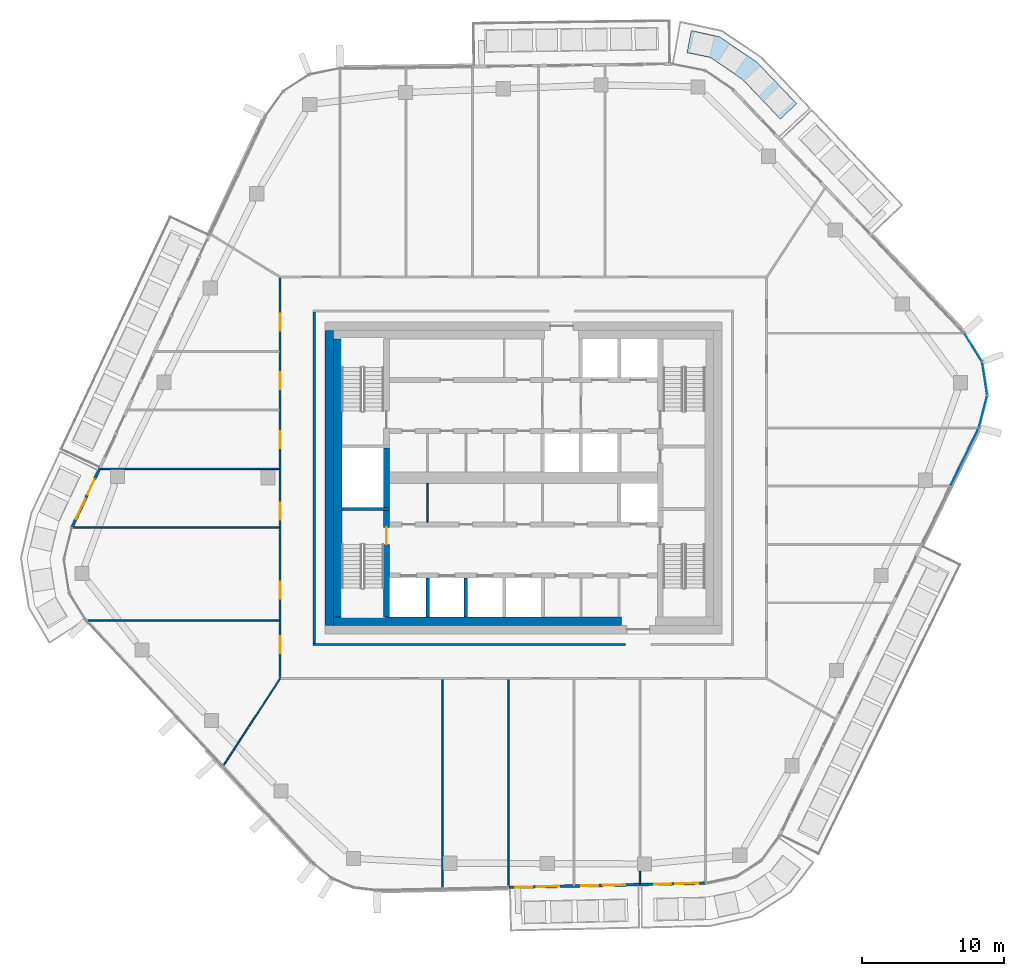
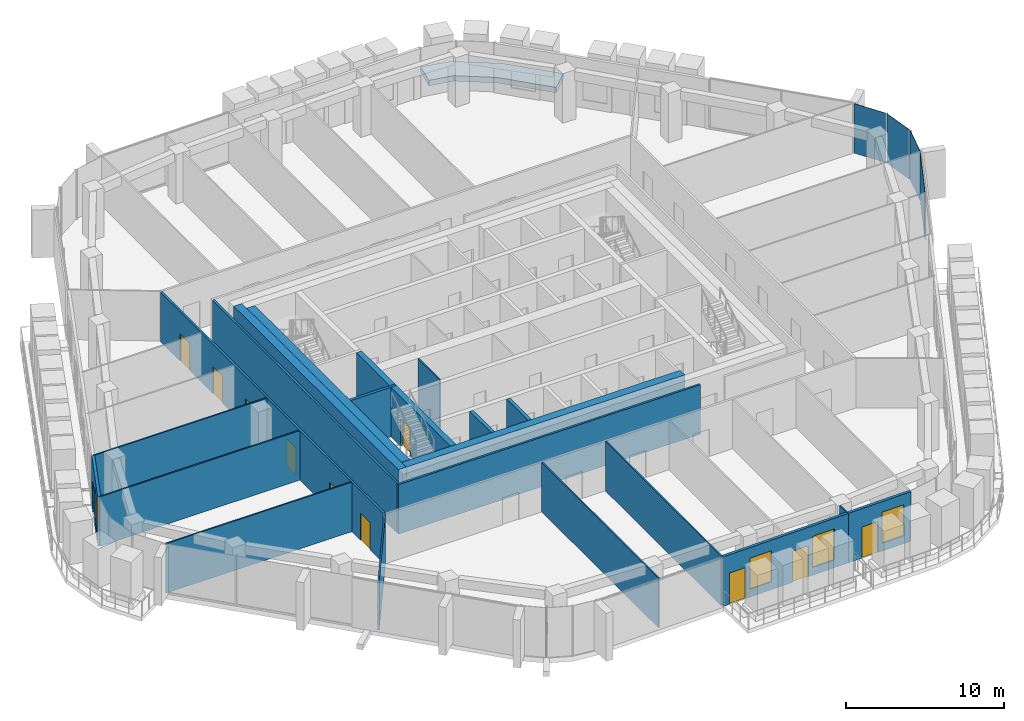
# One storey, part 12 of 23: 22 walls, 11 doors, 4 plates, 4 windows, 1 slab, 15 openings, 2 elements without a shape of their own.
"""IFC4 building model written with IfcOpenShell, lengths in metres."""

from ifc_helpers import new_model, si_unit, direction, frame, frame_2d, origin, origin_2d, place, context, subcontext, project, spatial, polyline, rectangle, outline, extrude, material, layer, layer_set, type_object, element, fill, aggregate, save


model = new_model("IFC4")

# Units and contexts
model_context = context("Model", 3, precision=1e-05, world=origin(), true_north=direction((0.0, 1.0)))
body_context = subcontext(model_context, "Body", "Model", "MODEL_VIEW")
ifc_project = project(units=[si_unit("LENGTHUNIT", "METRE"), si_unit("AREAUNIT", "SQUARE_METRE"), si_unit("VOLUMEUNIT", "CUBIC_METRE"), si_unit("PLANEANGLEUNIT", "RADIAN"), si_unit("MASSUNIT", "GRAM", prefix="KILO")], contexts=[model_context])

# Site, building, storey
site_placement = place(None, origin())
site = spatial("IfcSite", under=ifc_project, at=site_placement, CompositionType="ELEMENT")
building_placement = place(site_placement, origin())
building = spatial("IfcBuilding", under=site, at=building_placement, Name="Dongbaek Canopy Tower", CompositionType="ELEMENT")
storey_placement = place(building_placement, frame((0.0, 0.0, 336.199951171875)))
storey = spatial("IfcBuildingStorey", under=building, at=storey_placement, Name="L72", CompositionType="ELEMENT", Elevation=336.199951171875)

# Curtain wall, plates
ifc_material_1 = material(Name="Aluminium 6063-T6 pale anodised", Category="aluminium")
ifc_layer_1 = layer(ifc_material_1, 0.199951171875)
ifc_layer_set_1 = layer_set([ifc_layer_1], Name="CW-1 unitised tower curtain wall")
curtain_wall_type = type_object("IfcCurtainWallType", Name="CW-1 unitised tower curtain wall", PredefinedType="NOTDEFINED", material=ifc_layer_set_1)
curtain_wall_1_placement = place(storey_placement, origin())
curtain_wall_1 = element("IfcCurtainWall", 1, at=curtain_wall_1_placement, inside=storey, type_object=curtain_wall_type, Name="CW-1 curtain wall K0.1", PredefinedType="NOTDEFINED")
ifc_material_2 = material(Name="Clear laminated glass", Category="glass")
ifc_layer_2 = layer(ifc_material_2, 0.028076171875)
ifc_layer_set_2 = layer_set([ifc_layer_2], Name="CW-1 glazed panel 28")
plate_type = type_object("IfcPlateType", Name="CW-1 glazed panel 28", PredefinedType="CURTAIN_PANEL", material=ifc_layer_set_2)
plate_1_placement = place(storey_placement, frame((32.399169921875, 4.675048828125, 0.0), z_axis=(0.0, 0.0, 1.0), x_axis=(0.249737437294, 0.96831359198, 0.0)))
plate_1 = element("IfcPlate", 2, at=plate_1_placement, type_object=plate_type, Name="CW-1 panel K0.1.1.1", PredefinedType="CURTAIN_PANEL", context=body_context, shape_type="SweptSolid", body=[
    extrude(rectangle(XDim=2.298095703125, YDim=0.028076171875, at=origin_2d()), origin(), (0.0, 0.0, 1.0), 3.820068359375),
])
plate_2_placement = place(storey_placement, frame((32.5166015625, 7.00048828125, 0.0), z_axis=(0.0, 0.0, 1.0), x_axis=(-0.151904019597, 0.988395249296, 0.0)))
plate_2 = element("IfcPlate", 3, at=plate_2_placement, type_object=plate_type, Name="CW-1 panel K0.1.2.1", PredefinedType="CURTAIN_PANEL", context=body_context, shape_type="SweptSolid", body=[
    extrude(rectangle(XDim=2.287841796875, YDim=0.028076171875, at=origin_2d()), origin(), (0.0, 0.0, 1.0), 3.820068359375),
])
plate_3_placement = place(storey_placement, frame((31.706298828125, 9.18359375, 0.0), z_axis=(0.0, 0.0, 1.0), x_axis=(-0.528979690161, 0.848634483978, 0.0)))
plate_3 = element("IfcPlate", 4, at=plate_3_placement, type_object=plate_type, Name="CW-1 panel K0.1.3.1", PredefinedType="CURTAIN_PANEL", context=body_context, shape_type="SweptSolid", body=[
    extrude(rectangle(XDim=2.298095703125, YDim=0.028076171875, at=origin_2d()), origin(), (0.0, 0.0, 1.0), 3.820068359375),
])
aggregate(curtain_wall_1, [plate_1, plate_2, plate_3])

# Curtain wall, plate
curtain_wall_2_placement = place(storey_placement, origin())
curtain_wall_2 = element("IfcCurtainWall", 5, at=curtain_wall_2_placement, inside=storey, type_object=curtain_wall_type, Name="CW-1 curtain wall F5.1", PredefinedType="NOTDEFINED")
plate_4_placement = place(storey_placement, frame((31.09814453125, 1.469482421875, 0.1201171875), z_axis=(0.0, 0.0, 1.0), x_axis=(0.439337288093, 0.89832218457, 0.0)))
plate_4 = element("IfcPlate", 6, at=plate_4_placement, type_object=plate_type, Name="CW-1 panel F5.1.2.1", PredefinedType="CURTAIN_PANEL", context=body_context, shape_type="SweptSolid", body=[
    extrude(rectangle(XDim=4.485107421875, YDim=0.028076171875, at=origin_2d()), origin(), (0.0, 0.0, 1.0), 3.699951171875),
])
aggregate(curtain_wall_2, [plate_4])

# Slab
ifc_material_3 = material(Name="Reinforced concrete C40/50 planter box with soil", Category="concrete")
ifc_layer_3 = layer(ifc_material_3, 0.419921875)
ifc_layer_set_3 = layer_set([ifc_layer_3], Name="Terrace planter box 1600 x 420")
slab_type = type_object("IfcSlabType", Name="Terrace planter box 1600 x 420", PredefinedType="USERDEFINED", material=ifc_layer_set_3)
slab_placement = place(storey_placement, origin())
element("IfcSlab", 7, at=slab_placement, inside=storey, type_object=slab_type, Name="Balcony planter L72 6", ObjectType="PLANTER", PredefinedType="USERDEFINED", context=body_context, shape_type="SweptSolid", body=[
    extrude(outline(polyline([(18.107177734375, 25.281005859375), (15.435302734375, 28.086181640625), (13.182861328125, 29.626220703125), (11.53076171875, 29.968017578125), (11.837646484375, 31.538330078125), (13.804443359375, 31.1005859375), (16.4755859375, 29.3017578125), (19.26708984375, 26.383056640625), (18.107177734375, 25.281005859375)])), origin(), (0.0, 0.0, 1.0), 0.420166015625),
])

# Walls
ifc_material_4 = material(Name="Concrete C80/95", Category="concrete")
ifc_layer_4 = layer(ifc_material_4, 0.60009765625)
ifc_layer_set_4 = layer_set([ifc_layer_4], Name="Core outer wall 600 Concrete C80/95")
wall_type_1 = type_object("IfcWallType", Name="Core outer wall 600 Concrete C80/95", PredefinedType="SHEAR", material=ifc_layer_set_4)
wall_1_placement = place(storey_placement, frame((-13.699951171875, -10.39990234375, 0.0), z_axis=(0.0, 0.0, 1.0), x_axis=(0.0, 1.0, 0.0)))
element("IfcWall", 8, at=wall_1_placement, inside=storey, type_object=wall_type_1, Name="Core wall", PredefinedType="SHEAR", context=body_context, shape_type="SweptSolid", body=[
    extrude(rectangle(XDim=20.7998046875, YDim=0.60009765625, at=frame_2d((10.39990234375, 0.0))), origin(), (0.0, 0.0, 1.0), 3.820068359375),
])
ifc_material_5 = material(Name="Concrete C60/75", Category="concrete")
ifc_layer_5 = layer(ifc_material_5, 0.60009765625)
ifc_layer_set_5 = layer_set([ifc_layer_5], Name="Core wall lining 600 Concrete C60/75")
wall_type_2 = type_object("IfcWallType", Name="Core wall lining 600 Concrete C60/75", PredefinedType="SHEAR", material=ifc_layer_set_5)
wall_2_placement = place(storey_placement, frame((6.89990234375, -10.10009765625, 0.0), z_axis=(0.0, 0.0, 1.0), x_axis=(-1.0, 0.0, 0.0)))
element("IfcWall", 9, at=wall_2_placement, inside=storey, type_object=wall_type_2, Name="Core wall lining", PredefinedType="SHEAR", context=body_context, shape_type="SweptSolid", body=[
    extrude(rectangle(XDim=20.2998046875, YDim=0.60009765625, at=frame_2d((10.14990234375, 0.0))), origin(), (0.0, 0.0, 1.0), 3.820068359375),
])
wall_3_placement = place(storey_placement, frame((-13.10009765625, -9.800048828125, 0.0), z_axis=(0.0, 0.0, 1.0), x_axis=(0.0, 1.0, 0.0)))
element("IfcWall", 10, at=wall_3_placement, inside=storey, type_object=wall_type_2, Name="Core wall lining", PredefinedType="SHEAR", context=body_context, shape_type="SweptSolid", body=[
    extrude(rectangle(XDim=19.60009765625, YDim=0.60009765625, at=frame_2d((9.800048828125, 0.0))), origin(), (0.0, 0.0, 1.0), 3.820068359375),
])
ifc_material_6 = material(Name="Gypsum board partition, steel stud, 2 x 15 mm fire board", Category="steel")
ifc_layer_6 = layer(ifc_material_6, 0.14990234375)
ifc_layer_set_6 = layer_set([ifc_layer_6], Name="Fire-rated partition 150 gypsum board")
wall_type_3 = type_object("IfcWallType", Name="Fire-rated partition 150 gypsum board", PredefinedType="PARTITIONING", material=ifc_layer_set_6)
wall_4_placement = place(storey_placement, frame((-14.824951171875, -11.75, 0.0), z_axis=(0.0, 0.0, 1.0), x_axis=(1.0, 0.0, 0.0)))
element("IfcWall", 11, at=wall_4_placement, inside=storey, type_object=wall_type_3, Name="Corridor partition", PredefinedType="PARTITIONING", context=body_context, shape_type="SweptSolid", body=[
    extrude(rectangle(XDim=22.02490234375, YDim=0.14990234375, at=frame_2d((11.012451171875, 0.0))), origin(), (0.0, 0.0, 1.0), 3.820068359375),
])
wall_5_placement = place(storey_placement, frame((-14.75, -11.675048828125, 0.0), z_axis=(0.0, 0.0, 1.0), x_axis=(0.0, 1.0, 0.0)))
element("IfcWall", 12, at=wall_5_placement, inside=storey, type_object=wall_type_3, Name="Corridor partition", PredefinedType="PARTITIONING", context=body_context, shape_type="SweptSolid", body=[
    extrude(rectangle(XDim=23.35009765625, YDim=0.14990234375, at=frame_2d((11.675048828125, 0.0))), origin(), (0.0, 0.0, 1.0), 3.820068359375),
])

# Wall, openings, doors
wall_6_placement = place(storey_placement, frame((-17.14990234375, -14.074951171875, 0.0), z_axis=(0.0, 0.0, 1.0), x_axis=(0.0, 1.0, 0.0)))
wall_6 = element("IfcWall", 13, at=wall_6_placement, inside=storey, type_object=wall_type_3, Name="Corridor partition", PredefinedType="PARTITIONING", context=body_context, shape_type="SweptSolid", body=[
    extrude(rectangle(XDim=28.14990234375, YDim=0.14990234375, at=frame_2d((14.074951171875, 0.0))), origin(), (0.0, 0.0, 1.0), 3.820068359375),
])
opening_1_placement = place(wall_6_placement, frame((11.12158203125, 0.0, 0.0)))
opening_1 = element("IfcOpeningElement", 14, at=opening_1_placement, cuts=wall_6, Name="Opening L72-D001", PredefinedType="OPENING", context=body_context, shape_type="SweptSolid", body=[
    extrude(rectangle(XDim=1.199951171875, YDim=2.10009765625, at=frame_2d((0.60009765625, 1.050048828125))), frame((0.0, 0.0849609375, 0.0), z_axis=(0.0, -1.0, 0.0), x_axis=(1.0, 0.0, 0.0)), (0.0, 0.0, 1.0), 0.169921875),
])
opening_2_placement = place(wall_6_placement, frame((5.5546875, 0.0, 0.0)))
opening_2 = element("IfcOpeningElement", 15, at=opening_2_placement, cuts=wall_6, Name="Opening L72-D002", PredefinedType="OPENING", context=body_context, shape_type="SweptSolid", body=[
    extrude(rectangle(XDim=1.199951171875, YDim=2.10009765625, at=frame_2d((0.60009765625, 1.050048828125))), frame((0.0, 0.0849609375, 0.0), z_axis=(0.0, -1.0, 0.0), x_axis=(1.0, 0.0, 0.0)), (0.0, 0.0, 1.0), 0.169921875),
])
opening_3_placement = place(wall_6_placement, frame((1.699951171875, 0.0, 0.0)))
opening_3 = element("IfcOpeningElement", 16, at=opening_3_placement, cuts=wall_6, Name="Opening L72-D003", PredefinedType="OPENING", context=body_context, shape_type="SweptSolid", body=[
    extrude(rectangle(XDim=1.199951171875, YDim=2.10009765625, at=frame_2d((0.60009765625, 1.050048828125))), frame((0.0, 0.0849609375, 0.0), z_axis=(0.0, -1.0, 0.0), x_axis=(1.0, 0.0, 0.0)), (0.0, 0.0, 1.0), 0.169921875),
])
opening_4_placement = place(wall_6_placement, frame((24.456787109375, 0.0, 0.0)))
opening_4 = element("IfcOpeningElement", 17, at=opening_4_placement, cuts=wall_6, Name="Opening L72-D022", PredefinedType="OPENING", context=body_context, shape_type="SweptSolid", body=[
    extrude(rectangle(XDim=1.199951171875, YDim=2.10009765625, at=frame_2d((0.60009765625, 1.050048828125))), frame((0.0, 0.0849609375, 0.0), z_axis=(0.0, -1.0, 0.0), x_axis=(1.0, 0.0, 0.0)), (0.0, 0.0, 1.0), 0.169921875),
])
opening_5_placement = place(wall_6_placement, frame((20.314208984375, 0.0, 0.0)))
opening_5 = element("IfcOpeningElement", 18, at=opening_5_placement, cuts=wall_6, Name="Opening L72-D023", PredefinedType="OPENING", context=body_context, shape_type="SweptSolid", body=[
    extrude(rectangle(XDim=1.199951171875, YDim=2.10009765625, at=frame_2d((0.60009765625, 1.050048828125))), frame((0.0, 0.0849609375, 0.0), z_axis=(0.0, -1.0, 0.0), x_axis=(1.0, 0.0, 0.0)), (0.0, 0.0, 1.0), 0.169921875),
])
opening_6_placement = place(wall_6_placement, frame((16.172119140625, 0.0, 0.0)))
opening_6 = element("IfcOpeningElement", 19, at=opening_6_placement, cuts=wall_6, Name="Opening L72-D024", PredefinedType="OPENING", context=body_context, shape_type="SweptSolid", body=[
    extrude(rectangle(XDim=1.199951171875, YDim=2.10009765625, at=frame_2d((0.60009765625, 1.050048828125))), frame((0.0, 0.0849609375, 0.0), z_axis=(0.0, -1.0, 0.0), x_axis=(1.0, 0.0, 0.0)), (0.0, 0.0, 1.0), 0.169921875),
])
ifc_material_7 = material(Name="Timber veneered door leaf", Category="wood")
door_type_1 = type_object("IfcDoorType", Name="Room door 1200 x 2100", OperationType="SINGLE_SWING_LEFT", PredefinedType="DOOR", material=ifc_material_7)
door_1_placement = place(opening_1_placement, origin())
door_1 = element("IfcDoor", 20, at=door_1_placement, inside=storey, type_object=door_type_1, Name="Door L72-D001", OperationType="SINGLE_SWING_RIGHT", OverallHeight=2.10009765625, OverallWidth=1.199951171875, PredefinedType="DOOR", context=body_context, shape_type="SweptSolid", body=[
    extrude(rectangle(XDim=1.199951171875, YDim=2.10009765625, at=frame_2d((0.60009765625, 1.050048828125))), frame((0.0, 0.02490234375, 0.0), z_axis=(0.0, -1.0, 0.0), x_axis=(1.0, 0.0, 0.0)), (0.0, 0.0, 1.0), 0.050048828125),
])
fill(opening_1, door_1)
door_2_placement = place(opening_2_placement, origin())
door_2 = element("IfcDoor", 21, at=door_2_placement, inside=storey, type_object=door_type_1, Name="Door L72-D002", OperationType="SINGLE_SWING_LEFT", OverallHeight=2.10009765625, OverallWidth=1.199951171875, PredefinedType="DOOR", context=body_context, shape_type="SweptSolid", body=[
    extrude(rectangle(XDim=1.199951171875, YDim=2.10009765625, at=frame_2d((0.60009765625, 1.050048828125))), frame((0.0, 0.02490234375, 0.0), z_axis=(0.0, -1.0, 0.0), x_axis=(1.0, 0.0, 0.0)), (0.0, 0.0, 1.0), 0.050048828125),
])
fill(opening_2, door_2)
door_3_placement = place(opening_3_placement, origin())
door_3 = element("IfcDoor", 22, at=door_3_placement, inside=storey, type_object=door_type_1, Name="Door L72-D003", OperationType="SINGLE_SWING_RIGHT", OverallHeight=2.10009765625, OverallWidth=1.199951171875, PredefinedType="DOOR", context=body_context, shape_type="SweptSolid", body=[
    extrude(rectangle(XDim=1.199951171875, YDim=2.10009765625, at=frame_2d((0.60009765625, 1.050048828125))), frame((0.0, 0.02490234375, 0.0), z_axis=(0.0, -1.0, 0.0), x_axis=(1.0, 0.0, 0.0)), (0.0, 0.0, 1.0), 0.050048828125),
])
fill(opening_3, door_3)
door_4_placement = place(opening_4_placement, origin())
door_4 = element("IfcDoor", 23, at=door_4_placement, inside=storey, type_object=door_type_1, Name="Door L72-D022", OperationType="SINGLE_SWING_LEFT", OverallHeight=2.10009765625, OverallWidth=1.199951171875, PredefinedType="DOOR", context=body_context, shape_type="SweptSolid", body=[
    extrude(rectangle(XDim=1.199951171875, YDim=2.10009765625, at=frame_2d((0.60009765625, 1.050048828125))), frame((0.0, 0.02490234375, 0.0), z_axis=(0.0, -1.0, 0.0), x_axis=(1.0, 0.0, 0.0)), (0.0, 0.0, 1.0), 0.050048828125),
])
fill(opening_4, door_4)
door_5_placement = place(opening_5_placement, origin())
door_5 = element("IfcDoor", 24, at=door_5_placement, inside=storey, type_object=door_type_1, Name="Door L72-D023", OperationType="SINGLE_SWING_RIGHT", OverallHeight=2.10009765625, OverallWidth=1.199951171875, PredefinedType="DOOR", context=body_context, shape_type="SweptSolid", body=[
    extrude(rectangle(XDim=1.199951171875, YDim=2.10009765625, at=frame_2d((0.60009765625, 1.050048828125))), frame((0.0, 0.02490234375, 0.0), z_axis=(0.0, -1.0, 0.0), x_axis=(1.0, 0.0, 0.0)), (0.0, 0.0, 1.0), 0.050048828125),
])
fill(opening_5, door_5)
door_6_placement = place(opening_6_placement, origin())
door_6 = element("IfcDoor", 25, at=door_6_placement, inside=storey, type_object=door_type_1, Name="Door L72-D024", OperationType="SINGLE_SWING_LEFT", OverallHeight=2.10009765625, OverallWidth=1.199951171875, PredefinedType="DOOR", context=body_context, shape_type="SweptSolid", body=[
    extrude(rectangle(XDim=1.199951171875, YDim=2.10009765625, at=frame_2d((0.60009765625, 1.050048828125))), frame((0.0, 0.02490234375, 0.0), z_axis=(0.0, -1.0, 0.0), x_axis=(1.0, 0.0, 0.0)), (0.0, 0.0, 1.0), 0.050048828125),
])
fill(opening_6, door_6)

# Walls
ifc_material_8 = material(Name="Concrete C40/50", Category="concrete")
ifc_layer_7 = layer(ifc_material_8, 0.25)
ifc_layer_set_7 = layer_set([ifc_layer_7], Name="Lift shaft wall 250 Concrete C40/50")
wall_type_4 = type_object("IfcWallType", Name="Lift shaft wall 250 Concrete C40/50", PredefinedType="SOLIDWALL", material=ifc_layer_set_7)
for number, where, z_axis, x_axis, name in (
    (26, (-4.050048828125, -9.800048828125, 0.0), (0.0, 0.0, 1.0), (0.0, 1.0, 0.0), "Lift shaft wall"),
    (27, (-6.75, -9.800048828125, 0.0), (0.0, 0.0, 1.0), (0.0, 1.0, 0.0), "Lift shaft wall"),
):
    element("IfcWall", number, at=place(storey_placement, frame(where, z_axis=z_axis, x_axis=x_axis)), inside=storey, type_object=wall_type_4, Name=name, PredefinedType="SOLIDWALL", context=body_context, shape_type="SweptSolid", body=[
        extrude(rectangle(XDim=2.72509765625, YDim=0.25, at=frame_2d((1.362548828125, 0.0))), origin(), (0.0, 0.0, 1.0), 3.820068359375),
    ])
ifc_material_9 = material(Name="Gypsum board partition, steel stud, 2 x 12.5 mm board", Category="steel")
ifc_layer_8 = layer(ifc_material_9, 0.10009765625)
ifc_layer_set_8 = layer_set([ifc_layer_8], Name="Partition 100 gypsum board")
wall_type_5 = type_object("IfcWallType", Name="Partition 100 gypsum board", PredefinedType="PARTITIONING", material=ifc_layer_set_8)
wall_7_placement = place(storey_placement, frame((-30.773193359375, -10.06396484375, 0.0), z_axis=(0.0, 0.0, 1.0), x_axis=(1.0, 0.0, 0.0)))
element("IfcWall", 28, at=wall_7_placement, inside=storey, type_object=wall_type_5, Name="Partition", PredefinedType="PARTITIONING", context=body_context, shape_type="SweptSolid", body=[
    extrude(rectangle(XDim=13.548095703125, YDim=0.10009765625, at=frame_2d((6.77392578125, 0.0))), origin(), (0.0, 0.0, 1.0), 3.820068359375),
])
wall_8_placement = place(storey_placement, frame((-31.810791015625, -3.507080078125, 0.0), z_axis=(0.0, 0.0, 1.0), x_axis=(1.0, 0.0, 0.0)))
element("IfcWall", 29, at=wall_8_placement, inside=storey, type_object=wall_type_5, Name="Partition", PredefinedType="PARTITIONING", context=body_context, shape_type="SweptSolid", body=[
    extrude(rectangle(XDim=14.585693359375, YDim=0.10009765625, at=frame_2d((7.29296875, 0.0))), origin(), (0.0, 0.0, 1.0), 3.820068359375),
])
wall_9_placement = place(storey_placement, frame((-29.867431640625, 0.6259765625, 0.0), z_axis=(0.0, 0.0, 1.0), x_axis=(1.0, 0.0, 0.0)))
element("IfcWall", 30, at=wall_9_placement, inside=storey, type_object=wall_type_5, Name="Partition", PredefinedType="PARTITIONING", context=body_context, shape_type="SweptSolid", body=[
    extrude(rectangle(XDim=12.642333984375, YDim=0.10009765625, at=frame_2d((6.3212890625, 0.0))), origin(), (0.0, 0.0, 1.0), 3.820068359375),
])
wall_10_placement = place(storey_placement, frame((-21.17578125, -20.328125, 0.0), z_axis=(0.0, 0.0, 1.0), x_axis=(0.5459597113, 0.837811430834, 0.0)))
element("IfcWall", 31, at=wall_10_placement, inside=storey, type_object=wall_type_5, Name="Partition", PredefinedType="PARTITIONING", context=body_context, shape_type="SweptSolid", body=[
    extrude(rectangle(XDim=7.3740234375, YDim=0.10009765625, at=frame_2d((3.68701171875, 0.0))), origin(), (0.0, 0.0, 1.0), 3.820068359375),
])
wall_11_placement = place(storey_placement, frame((8.214111328125, -28.651611328125, 0.0), z_axis=(0.0, 0.0, 1.0), x_axis=(0.0, 1.0, 0.0)))
element("IfcWall", 32, at=wall_11_placement, inside=storey, type_object=wall_type_5, Name="Partition", PredefinedType="PARTITIONING", context=body_context, shape_type="SweptSolid", body=[
    extrude(rectangle(XDim=0.924560546875, YDim=0.10009765625, at=frame_2d((0.46240234375, 0.0))), origin(), (0.0, 0.0, 1.0), 3.820068359375),
])
wall_12_placement = place(storey_placement, frame((-1.06103515625, -28.852783203125, 0.0), z_axis=(0.0, 0.0, 1.0), x_axis=(0.0, 1.0, 0.0)))
element("IfcWall", 33, at=wall_12_placement, inside=storey, type_object=wall_type_5, Name="Partition", PredefinedType="PARTITIONING", context=body_context, shape_type="SweptSolid", body=[
    extrude(rectangle(XDim=14.627685546875, YDim=0.10009765625, at=frame_2d((7.31396484375, 0.0))), origin(), (0.0, 0.0, 1.0), 3.820068359375),
])
wall_13_placement = place(storey_placement, frame((-5.698974609375, -28.953125, 0.0), z_axis=(0.0, 0.0, 1.0), x_axis=(0.0, 1.0, 0.0)))
element("IfcWall", 34, at=wall_13_placement, inside=storey, type_object=wall_type_5, Name="Partition", PredefinedType="PARTITIONING", context=body_context, shape_type="SweptSolid", body=[
    extrude(rectangle(XDim=14.72802734375, YDim=0.10009765625, at=frame_2d((7.364013671875, 0.0))), origin(), (0.0, 0.0, 1.0), 3.820068359375),
])
wall_14_placement = place(storey_placement, frame((-6.75, -3.125, 0.0), z_axis=(0.0, 0.0, 1.0), x_axis=(0.0, 1.0, 0.0)))
element("IfcWall", 35, at=wall_14_placement, inside=storey, type_object=wall_type_5, Name="Core partition", PredefinedType="PARTITIONING", context=body_context, shape_type="SweptSolid", body=[
    extrude(rectangle(XDim=2.72509765625, YDim=0.10009765625, at=frame_2d((1.362548828125, 0.0))), origin(), (0.0, 0.0, 1.0), 3.820068359375),
])
ifc_material_10 = material(Name="Concrete C60/75", Category="concrete")
ifc_layer_9 = layer(ifc_material_10, 0.199951171875)
ifc_layer_set_9 = layer_set([ifc_layer_9], Name="Riser wall 200 Concrete C60/75")
wall_type_6 = type_object("IfcWallType", Name="Riser wall 200 Concrete C60/75", PredefinedType="SHEAR", material=ifc_layer_set_9)
wall_15_placement = place(storey_placement, frame((-9.449951171875, -2.199951171875, 0.0), z_axis=(0.0, 0.0, 1.0), x_axis=(-1.0, 0.0, 0.0)))
element("IfcWall", 36, at=wall_15_placement, inside=storey, type_object=wall_type_6, Name="Riser wall", PredefinedType="SHEAR", context=body_context, shape_type="SweptSolid", body=[
    extrude(rectangle(XDim=3.35009765625, YDim=0.199951171875, at=frame_2d((1.675048828125, 0.0))), origin(), (0.0, 0.0, 1.0), 3.820068359375),
])

# Wall, opening, door
ifc_material_11 = material(Name="Concrete C60/75", Category="concrete")
ifc_layer_10 = layer(ifc_material_11, 0.39990234375)
ifc_layer_set_10 = layer_set([ifc_layer_10], Name="Stair wall 400 Concrete C60/75")
wall_type_7 = type_object("IfcWallType", Name="Stair wall 400 Concrete C60/75", PredefinedType="SHEAR", material=ifc_layer_set_10)
wall_16_placement = place(storey_placement, frame((-9.64990234375, -9.800048828125, 0.0), z_axis=(0.0, 0.0, 1.0), x_axis=(0.0, 1.0, 0.0)))
wall_16 = element("IfcWall", 37, at=wall_16_placement, inside=storey, type_object=wall_type_7, Name="Stair wall", PredefinedType="SHEAR", context=body_context, shape_type="SweptSolid", body=[
    extrude(rectangle(XDim=7.5, YDim=0.39990234375, at=frame_2d((3.75, 0.0))), origin(), (0.0, 0.0, 1.0), 3.820068359375),
])
opening_7_placement = place(wall_16_placement, frame((5.10009765625, 0.0, 0.0)))
opening_7 = element("IfcOpeningElement", 38, at=opening_7_placement, cuts=wall_16, Name="Opening L72-D055", PredefinedType="OPENING", context=body_context, shape_type="SweptSolid", body=[
    extrude(rectangle(XDim=1.199951171875, YDim=2.10009765625, at=frame_2d((0.60009765625, 1.050048828125))), frame((0.0, 0.2099609375, 0.0), z_axis=(0.0, -1.0, 0.0), x_axis=(1.0, 0.0, 0.0)), (0.0, 0.0, 1.0), 0.419921875),
])
ifc_material_12 = material(Name="Steel", Category="steel")
door_type_2 = type_object("IfcDoorType", Name="Stair door 1200 x 2100", OperationType="SINGLE_SWING_LEFT", PredefinedType="DOOR", material=ifc_material_12)
door_7_placement = place(opening_7_placement, origin())
door_7 = element("IfcDoor", 39, at=door_7_placement, inside=storey, type_object=door_type_2, Name="Stair D door", OperationType="SINGLE_SWING_LEFT", OverallHeight=2.10009765625, OverallWidth=1.199951171875, PredefinedType="DOOR", context=body_context, shape_type="SweptSolid", body=[
    extrude(rectangle(XDim=1.199951171875, YDim=2.10009765625, at=frame_2d((0.60009765625, 1.050048828125))), frame((0.0, 0.02490234375, 0.0), z_axis=(0.0, -1.0, 0.0), x_axis=(1.0, 0.0, 0.0)), (0.0, 0.0, 1.0), 0.050048828125),
])
fill(opening_7, door_7)

# Wall
wall_17_placement = place(storey_placement, frame((-9.64990234375, -2.10009765625, 0.0), z_axis=(0.0, 0.0, 1.0), x_axis=(0.0, 1.0, 0.0)))
element("IfcWall", 40, at=wall_17_placement, inside=storey, type_object=wall_type_7, Name="Stair wall", PredefinedType="SHEAR", context=body_context, shape_type="SweptSolid", body=[
    extrude(rectangle(XDim=4.2001953125, YDim=0.39990234375, at=frame_2d((2.10009765625, 0.0))), origin(), (0.0, 0.0, 1.0), 3.820068359375),
])

# Wall, openings, door, window
ifc_material_13 = material(Name="Aluminium window wall", Category="aluminium")
ifc_layer_11 = layer(ifc_material_13, 0.199951171875)
ifc_layer_set_11 = layer_set([ifc_layer_11], Name="Window wall 200")
wall_type_8 = type_object("IfcWallType", Name="Window wall 200", PredefinedType="SOLIDWALL", material=ifc_layer_set_11)
wall_18_placement = place(storey_placement, frame((-29.889404296875, 0.625732421875, 0.0), z_axis=(0.0, 0.0, 1.0), x_axis=(-0.425531877643, -0.904943435309, 0.0)))
wall_18 = element("IfcWall", 41, at=wall_18_placement, inside=storey, type_object=wall_type_8, Name="Window wall L72 7", PredefinedType="SOLIDWALL", context=body_context, shape_type="SweptSolid", body=[
    extrude(rectangle(XDim=4.5673828125, YDim=0.199951171875, at=frame_2d((2.28369140625, 0.0))), origin(), (0.0, 0.0, 1.0), 3.820068359375),
])
opening_8_placement = place(wall_18_placement, frame((2.300048828125, 0.0, 0.60009765625)))
opening_8 = element("IfcOpeningElement", 42, at=opening_8_placement, cuts=wall_18, Name="Opening W1", PredefinedType="OPENING", context=body_context, shape_type="SweptSolid", body=[
    extrude(rectangle(XDim=1.60009765625, YDim=2.39990234375, at=frame_2d((0.800048828125, 1.199951171875))), frame((0.0, 0.10986328125, 0.0), z_axis=(0.0, -1.0, 0.0), x_axis=(1.0, 0.0, 0.0)), (0.0, 0.0, 1.0), 0.219970703125),
])
opening_9_placement = place(wall_18_placement, frame((0.800048828125, 0.0, 0.0)))
opening_9 = element("IfcOpeningElement", 43, at=opening_9_placement, cuts=wall_18, Name="Opening L72-B11", PredefinedType="OPENING", context=body_context, shape_type="SweptSolid", body=[
    extrude(rectangle(XDim=1.199951171875, YDim=2.39990234375, at=frame_2d((0.60009765625, 1.199951171875))), frame((0.0, 0.10986328125, 0.0), z_axis=(0.0, -1.0, 0.0), x_axis=(1.0, 0.0, 0.0)), (0.0, 0.0, 1.0), 0.219970703125),
])
ifc_material_14 = material(Name="Clear glazing in aluminium frame", Category="aluminium")
door_type_3 = type_object("IfcDoorType", Name="Balcony door BD1 1200 x 2400", OperationType="SLIDING_TO_LEFT", PredefinedType="DOOR", material=ifc_material_14)
door_8_placement = place(opening_9_placement, origin())
door_8 = element("IfcDoor", 44, at=door_8_placement, inside=storey, type_object=door_type_3, Name="Balcony door L72-B11", OperationType="SLIDING_TO_LEFT", OverallHeight=2.39990234375, OverallWidth=1.199951171875, PredefinedType="DOOR", context=body_context, shape_type="SweptSolid", body=[
    extrude(rectangle(XDim=1.199951171875, YDim=2.39990234375, at=frame_2d((0.60009765625, 1.199951171875))), frame((0.0, 0.02490234375, 0.0), z_axis=(0.0, -1.0, 0.0), x_axis=(1.0, 0.0, 0.0)), (0.0, 0.0, 1.0), 0.050048828125),
])
fill(opening_9, door_8)
ifc_material_15 = material(Name="Clear glazing in aluminium frame", Category="aluminium")
window_type = type_object("IfcWindowType", Name="Window W1 1600 x 2400", PartitioningType="SINGLE_PANEL", PredefinedType="WINDOW", material=ifc_material_15)
window_1_placement = place(opening_8_placement, origin())
window_1 = element("IfcWindow", 45, at=window_1_placement, inside=storey, type_object=window_type, Name="Window L72 7.1", OverallHeight=2.39990234375, OverallWidth=1.60009765625, PartitioningType="SINGLE_PANEL", PredefinedType="WINDOW", context=body_context, shape_type="SweptSolid", body=[
    extrude(rectangle(XDim=1.60009765625, YDim=2.39990234375, at=frame_2d((0.800048828125, 1.199951171875))), frame((0.0, 0.030029296875, 0.0), z_axis=(0.0, -1.0, 0.0), x_axis=(1.0, 0.0, 0.0)), (0.0, 0.0, 1.0), 0.06005859375),
])
fill(opening_8, window_1)

# Wall, openings, doors, windows
wall_19_placement = place(storey_placement, frame((-1.06103515625, -28.872802734375, 0.0), z_axis=(0.0, 0.0, 1.0), x_axis=(0.999764856684, 0.02168481816, 0.0)))
wall_19 = element("IfcWall", 46, at=wall_19_placement, inside=storey, type_object=wall_type_8, Name="Window wall L72 4", PredefinedType="SOLIDWALL", context=body_context, shape_type="SweptSolid", body=[
    extrude(rectangle(XDim=9.277099609375, YDim=0.199951171875, at=frame_2d((4.638671875, 0.0))), origin(), (0.0, 0.0, 1.0), 3.820068359375),
])
opening_10_placement = place(wall_19_placement, frame((2.0, 0.0, 0.60009765625)))
opening_10 = element("IfcOpeningElement", 47, at=opening_10_placement, cuts=wall_19, Name="Opening W1", PredefinedType="OPENING", context=body_context, shape_type="SweptSolid", body=[
    extrude(rectangle(XDim=1.60009765625, YDim=2.39990234375, at=frame_2d((0.800048828125, 1.199951171875))), frame((0.0, 0.10986328125, 0.0), z_axis=(0.0, -1.0, 0.0), x_axis=(1.0, 0.0, 0.0)), (0.0, 0.0, 1.0), 0.219970703125),
])
opening_11_placement = place(wall_19_placement, frame((0.5, 0.0, 0.0)))
opening_11 = element("IfcOpeningElement", 48, at=opening_11_placement, cuts=wall_19, Name="Opening L72-B12", PredefinedType="OPENING", context=body_context, shape_type="SweptSolid", body=[
    extrude(rectangle(XDim=1.199951171875, YDim=2.39990234375, at=frame_2d((0.60009765625, 1.199951171875))), frame((0.0, 0.10986328125, 0.0), z_axis=(0.0, -1.0, 0.0), x_axis=(1.0, 0.0, 0.0)), (0.0, 0.0, 1.0), 0.219970703125),
])
opening_12_placement = place(wall_19_placement, frame((6.638427734375, 0.0, 0.60009765625)))
opening_12 = element("IfcOpeningElement", 49, at=opening_12_placement, cuts=wall_19, Name="Opening W1", PredefinedType="OPENING", context=body_context, shape_type="SweptSolid", body=[
    extrude(rectangle(XDim=1.60009765625, YDim=2.39990234375, at=frame_2d((0.800048828125, 1.199951171875))), frame((0.0, 0.10986328125, 0.0), z_axis=(0.0, -1.0, 0.0), x_axis=(1.0, 0.0, 0.0)), (0.0, 0.0, 1.0), 0.219970703125),
])
opening_13_placement = place(wall_19_placement, frame((5.138427734375, 0.0, 0.0)))
opening_13 = element("IfcOpeningElement", 50, at=opening_13_placement, cuts=wall_19, Name="Opening L72-B13", PredefinedType="OPENING", context=body_context, shape_type="SweptSolid", body=[
    extrude(rectangle(XDim=1.199951171875, YDim=2.39990234375, at=frame_2d((0.60009765625, 1.199951171875))), frame((0.0, 0.10986328125, 0.0), z_axis=(0.0, -1.0, 0.0), x_axis=(1.0, 0.0, 0.0)), (0.0, 0.0, 1.0), 0.219970703125),
])
door_9_placement = place(opening_11_placement, origin())
door_9 = element("IfcDoor", 51, at=door_9_placement, inside=storey, type_object=door_type_3, Name="Balcony door L72-B12", OperationType="SLIDING_TO_LEFT", OverallHeight=2.39990234375, OverallWidth=1.199951171875, PredefinedType="DOOR", context=body_context, shape_type="SweptSolid", body=[
    extrude(rectangle(XDim=1.199951171875, YDim=2.39990234375, at=frame_2d((0.60009765625, 1.199951171875))), frame((0.0, 0.02490234375, 0.0), z_axis=(0.0, -1.0, 0.0), x_axis=(1.0, 0.0, 0.0)), (0.0, 0.0, 1.0), 0.050048828125),
])
fill(opening_11, door_9)
door_10_placement = place(opening_13_placement, origin())
door_10 = element("IfcDoor", 52, at=door_10_placement, inside=storey, type_object=door_type_3, Name="Balcony door L72-B13", OperationType="SLIDING_TO_LEFT", OverallHeight=2.39990234375, OverallWidth=1.199951171875, PredefinedType="DOOR", context=body_context, shape_type="SweptSolid", body=[
    extrude(rectangle(XDim=1.199951171875, YDim=2.39990234375, at=frame_2d((0.60009765625, 1.199951171875))), frame((0.0, 0.02490234375, 0.0), z_axis=(0.0, -1.0, 0.0), x_axis=(1.0, 0.0, 0.0)), (0.0, 0.0, 1.0), 0.050048828125),
])
fill(opening_13, door_10)
window_2_placement = place(opening_10_placement, origin())
window_2 = element("IfcWindow", 53, at=window_2_placement, inside=storey, type_object=window_type, Name="Window L72 4.1", OverallHeight=2.39990234375, OverallWidth=1.60009765625, PartitioningType="SINGLE_PANEL", PredefinedType="WINDOW", context=body_context, shape_type="SweptSolid", body=[
    extrude(rectangle(XDim=1.60009765625, YDim=2.39990234375, at=frame_2d((0.800048828125, 1.199951171875))), frame((0.0, 0.030029296875, 0.0), z_axis=(0.0, -1.0, 0.0), x_axis=(1.0, 0.0, 0.0)), (0.0, 0.0, 1.0), 0.06005859375),
])
fill(opening_10, window_2)
window_3_placement = place(opening_12_placement, origin())
window_3 = element("IfcWindow", 54, at=window_3_placement, inside=storey, type_object=window_type, Name="Window L72 4.2", OverallHeight=2.39990234375, OverallWidth=1.60009765625, PartitioningType="SINGLE_PANEL", PredefinedType="WINDOW", context=body_context, shape_type="SweptSolid", body=[
    extrude(rectangle(XDim=1.60009765625, YDim=2.39990234375, at=frame_2d((0.800048828125, 1.199951171875))), frame((0.0, 0.030029296875, 0.0), z_axis=(0.0, -1.0, 0.0), x_axis=(1.0, 0.0, 0.0)), (0.0, 0.0, 1.0), 0.06005859375),
])
fill(opening_12, window_3)

# Wall, openings, door, window
wall_20_placement = place(storey_placement, frame((8.2138671875, -28.671630859375, 0.0), z_axis=(0.0, 0.0, 1.0), x_axis=(0.999765057624, 0.021675551969, 0.0)))
wall_20 = element("IfcWall", 55, at=wall_20_placement, inside=storey, type_object=wall_type_8, Name="Window wall L72 8", PredefinedType="SOLIDWALL", context=body_context, shape_type="SweptSolid", body=[
    extrude(rectangle(XDim=4.629150390625, YDim=0.199951171875, at=frame_2d((2.314453125, 0.0))), origin(), (0.0, 0.0, 1.0), 3.820068359375),
])
opening_14_placement = place(wall_20_placement, frame((2.5, 0.0, 0.60009765625)))
opening_14 = element("IfcOpeningElement", 56, at=opening_14_placement, cuts=wall_20, Name="Opening W1", PredefinedType="OPENING", context=body_context, shape_type="SweptSolid", body=[
    extrude(rectangle(XDim=1.60009765625, YDim=2.39990234375, at=frame_2d((0.800048828125, 1.199951171875))), frame((0.0, 0.10986328125, 0.0), z_axis=(0.0, -1.0, 0.0), x_axis=(1.0, 0.0, 0.0)), (0.0, 0.0, 1.0), 0.219970703125),
])
opening_15_placement = place(wall_20_placement, frame((1.0, 0.0, 0.0)))
opening_15 = element("IfcOpeningElement", 57, at=opening_15_placement, cuts=wall_20, Name="Opening L72-B14", PredefinedType="OPENING", context=body_context, shape_type="SweptSolid", body=[
    extrude(rectangle(XDim=1.199951171875, YDim=2.39990234375, at=frame_2d((0.60009765625, 1.199951171875))), frame((0.0, 0.10986328125, 0.0), z_axis=(0.0, -1.0, 0.0), x_axis=(1.0, 0.0, 0.0)), (0.0, 0.0, 1.0), 0.219970703125),
])
door_11_placement = place(opening_15_placement, origin())
door_11 = element("IfcDoor", 58, at=door_11_placement, inside=storey, type_object=door_type_3, Name="Balcony door L72-B14", OperationType="SLIDING_TO_LEFT", OverallHeight=2.39990234375, OverallWidth=1.199951171875, PredefinedType="DOOR", context=body_context, shape_type="SweptSolid", body=[
    extrude(rectangle(XDim=1.199951171875, YDim=2.39990234375, at=frame_2d((0.60009765625, 1.199951171875))), frame((0.0, 0.02490234375, 0.0), z_axis=(0.0, -1.0, 0.0), x_axis=(1.0, 0.0, 0.0)), (0.0, 0.0, 1.0), 0.050048828125),
])
fill(opening_15, door_11)
window_4_placement = place(opening_14_placement, origin())
window_4 = element("IfcWindow", 59, at=window_4_placement, inside=storey, type_object=window_type, Name="Window L72 8.1", OverallHeight=2.39990234375, OverallWidth=1.60009765625, PartitioningType="SINGLE_PANEL", PredefinedType="WINDOW", context=body_context, shape_type="SweptSolid", body=[
    extrude(rectangle(XDim=1.60009765625, YDim=2.39990234375, at=frame_2d((0.800048828125, 1.199951171875))), frame((0.0, 0.030029296875, 0.0), z_axis=(0.0, -1.0, 0.0), x_axis=(1.0, 0.0, 0.0)), (0.0, 0.0, 1.0), 0.06005859375),
])
fill(opening_14, window_4)

save(model, "model.ifc")
